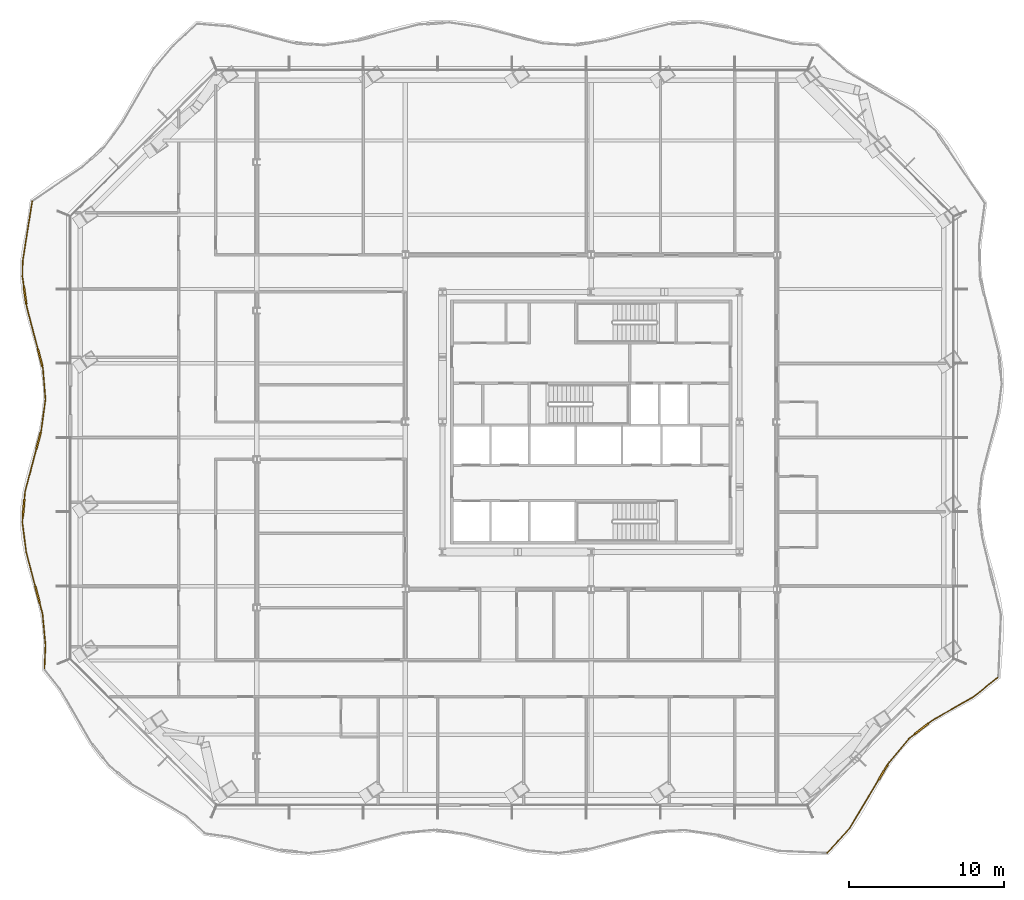
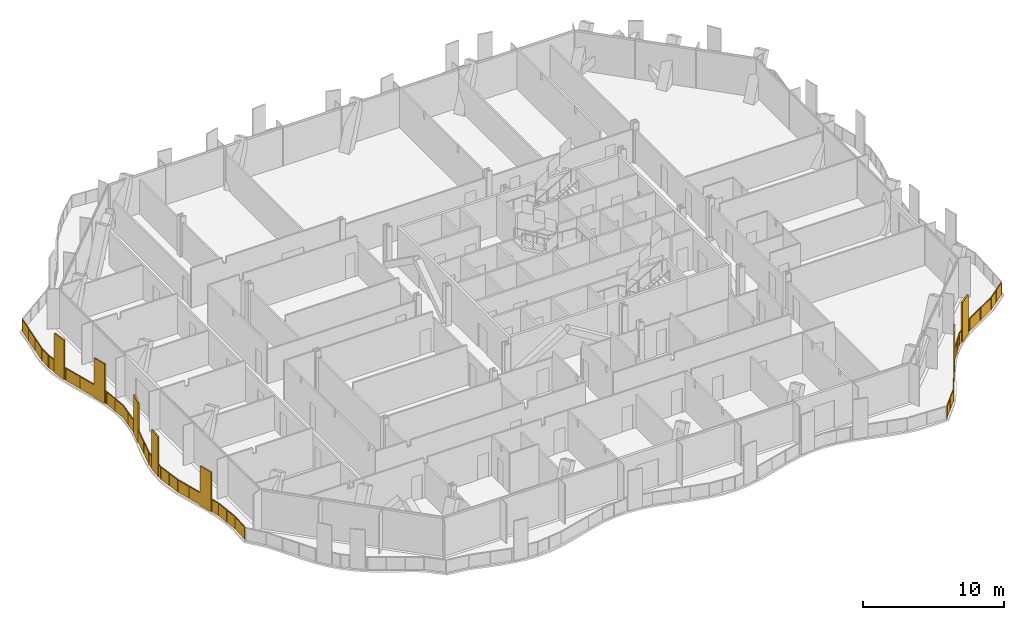
# One storey, part 15 of 19: 2 railings.
"""IFC4 building model written with IfcOpenShell, lengths in metres."""

from ifc_helpers import new_model, si_unit, direction, frame, origin, origin_2d, place, context, subcontext, project, spatial, polyline, rectangle, outline, extrude, material, type_object, element, save


model = new_model("IFC4")

# Units and contexts
model_context = context("Model", 3, precision=1e-05, world=origin(), true_north=direction((0.0, 1.0)))
body_context = subcontext(model_context, "Body", "Model", "MODEL_VIEW")
ifc_project = project(units=[si_unit("LENGTHUNIT", "METRE"), si_unit("AREAUNIT", "SQUARE_METRE"), si_unit("VOLUMEUNIT", "CUBIC_METRE"), si_unit("PLANEANGLEUNIT", "RADIAN"), si_unit("MASSUNIT", "GRAM", prefix="KILO")], contexts=[model_context])

# Site, building, storey
site_placement = place(None, origin())
site = spatial("IfcSite", under=ifc_project, at=site_placement, CompositionType="ELEMENT")
building_placement = place(site_placement, origin())
building = spatial("IfcBuilding", under=site, at=building_placement, Name="Cairn Pilgrim Tower", CompositionType="ELEMENT")
storey_placement = place(building_placement, frame((0.0, 0.0, 97.800048828125)))
storey = spatial("IfcBuildingStorey", under=building, at=storey_placement, Name="L23", CompositionType="ELEMENT", Elevation=97.800048828125)

# Railings
ifc_material = material(Name="Bronze anodised aluminium rail, posts and fin screens with laminated glass infill", Category="aluminium")
railing_type = type_object("IfcRailingType", Name="BALCONY GUARD WITH FIN SCREENS", PredefinedType="GUARDRAIL", material=ifc_material)
railing_1_placement = place(storey_placement, frame((22.46240234375, -25.446533203125, 0.0)))
element("IfcRailing", 1, at=railing_1_placement, inside=storey, type_object=railing_type, Name="Balcony guard BGF-2 with fin screens", PredefinedType="GUARDRAIL", context=body_context, shape_type="SweptSolid", body=[
    extrude(rectangle(XDim=0.050048828125, YDim=0.050048828125, at=origin_2d()), frame((0.0, 0.0, 1.0751953125), z_axis=(0.675537382413, 0.737325738709, 0.0), x_axis=(-0.737325738709, 0.675537382413, 0.0)), (0.0, 0.0, 1.0), 2.125732421875),
    extrude(rectangle(XDim=1.10009765625, YDim=0.110107421875, at=origin_2d()), frame((3.609619140625, 5.19921875, 0.0), z_axis=(0.0, 0.0, 1.0), x_axis=(0.513532392421, 0.858070208045, 0.0)), (0.0, 0.0, 1.0), 3.39990234375),
    extrude(rectangle(XDim=0.050048828125, YDim=0.050048828125, at=origin_2d()), frame((1.43603515625, 1.5673828125, 1.0751953125), z_axis=(0.513532392421, 0.858070208045, 0.0), x_axis=(-0.858070208045, 0.513532392421, 0.0)), (0.0, 0.0, 1.0), 3.6826171875),
    extrude(rectangle(XDim=0.050048828125, YDim=0.050048828125, at=origin_2d()), frame((3.89208984375, 5.671142578125, 1.0751953125), z_axis=(0.513532392421, 0.858070208045, 0.0), x_axis=(-0.858070208045, 0.513532392421, 0.0)), (0.0, 0.0, 1.0), 0.213134765625),
    extrude(rectangle(XDim=0.050048828125, YDim=0.050048828125, at=origin_2d()), frame((4.00146484375, 5.85400390625, 1.0751953125), z_axis=(0.640779953557, 0.767724593275, 0.0), x_axis=(-0.767724593275, 0.640779953557, 0.0)), (0.0, 0.0, 1.0), 1.97509765625),
    extrude(rectangle(XDim=1.10009765625, YDim=0.110107421875, at=origin_2d()), frame((6.095458984375, 8.01708984375, 0.0), z_axis=(0.0, 0.0, 1.0), x_axis=(0.788256003965, 0.615347440243, 0.0)), (0.0, 0.0, 1.0), 3.39990234375),
    extrude(rectangle(XDim=0.050048828125, YDim=0.050048828125, at=origin_2d()), frame((5.26708984375, 7.370361328125, 1.0751953125), z_axis=(0.788256003965, 0.615347440243, 0.0), x_axis=(-0.615347440243, 0.788256003965, 0.0)), (0.0, 0.0, 1.0), 0.5009765625),
    extrude(rectangle(XDim=0.050048828125, YDim=0.050048828125, at=origin_2d()), frame((6.529052734375, 8.35546875, 1.0751953125), z_axis=(0.788256003965, 0.615347440243, 0.0), x_axis=(-0.615347440243, 0.788256003965, 0.0)), (0.0, 0.0, 1.0), 0.380126953125),
    extrude(rectangle(XDim=0.050048828125, YDim=0.050048828125, at=origin_2d()), frame((6.82861328125, 8.58935546875, 1.0751953125), z_axis=(0.869039031145, 0.494743531889, 0.0), x_axis=(-0.494743531889, 0.869039031145, 0.0)), (0.0, 0.0, 1.0), 3.01611328125),
    extrude(rectangle(XDim=0.050048828125, YDim=0.050048828125, at=origin_2d()), frame((9.44970703125, 10.08154296875, 1.0751953125), z_axis=(0.781167588595, 0.624321390414, 0.0), x_axis=(-0.624321390414, 0.781167588595, 0.0)), (0.0, 0.0, 1.0), 1.992431640625),
    extrude(rectangle(XDim=0.050048828125, YDim=0.050048828125, at=origin_2d()), origin(), (0.0, 0.0, 1.0), 1.050048828125),
    extrude(rectangle(XDim=0.050048828125, YDim=0.050048828125, at=origin_2d()), frame((0.718017578125, 0.78369140625, 0.0)), (0.0, 0.0, 1.0), 1.050048828125),
    extrude(rectangle(XDim=0.050048828125, YDim=0.050048828125, at=origin_2d()), frame((1.43603515625, 1.5673828125, 0.0)), (0.0, 0.0, 1.0), 1.050048828125),
    extrude(rectangle(XDim=0.050048828125, YDim=0.050048828125, at=origin_2d()), frame((2.062255859375, 2.613525390625, 0.0)), (0.0, 0.0, 1.0), 1.050048828125),
    extrude(rectangle(XDim=0.050048828125, YDim=0.050048828125, at=origin_2d()), frame((2.688232421875, 3.65966796875, 0.0)), (0.0, 0.0, 1.0), 1.050048828125),
    extrude(rectangle(XDim=0.050048828125, YDim=0.050048828125, at=origin_2d()), frame((3.314453125, 4.705810546875, 0.0)), (0.0, 0.0, 1.0), 1.050048828125),
    extrude(rectangle(XDim=0.050048828125, YDim=0.050048828125, at=origin_2d()), frame((3.905029296875, 5.692626953125, 0.0)), (0.0, 0.0, 1.0), 1.050048828125),
    extrude(rectangle(XDim=0.050048828125, YDim=0.050048828125, at=origin_2d()), frame((4.00146484375, 5.85400390625, 0.0)), (0.0, 0.0, 1.0), 1.050048828125),
    extrude(rectangle(XDim=0.050048828125, YDim=0.050048828125, at=origin_2d()), frame((4.63427734375, 6.6123046875, 0.0)), (0.0, 0.0, 1.0), 1.050048828125),
    extrude(rectangle(XDim=0.050048828125, YDim=0.050048828125, at=origin_2d()), frame((5.26708984375, 7.370361328125, 0.0)), (0.0, 0.0, 1.0), 1.050048828125),
    extrude(rectangle(XDim=0.050048828125, YDim=0.050048828125, at=origin_2d()), frame((5.642333984375, 7.663330078125, 0.0)), (0.0, 0.0, 1.0), 1.050048828125),
    extrude(rectangle(XDim=0.050048828125, YDim=0.050048828125, at=origin_2d()), frame((6.548828125, 8.370849609375, 0.0)), (0.0, 0.0, 1.0), 1.050048828125),
    extrude(rectangle(XDim=0.050048828125, YDim=0.050048828125, at=origin_2d()), frame((6.82861328125, 8.58935546875, 0.0)), (0.0, 0.0, 1.0), 1.050048828125),
    extrude(rectangle(XDim=0.050048828125, YDim=0.050048828125, at=origin_2d()), frame((8.13916015625, 9.33544921875, 0.0)), (0.0, 0.0, 1.0), 1.050048828125),
    extrude(rectangle(XDim=0.050048828125, YDim=0.050048828125, at=origin_2d()), frame((9.44970703125, 10.08154296875, 0.0)), (0.0, 0.0, 1.0), 1.050048828125),
    extrude(rectangle(XDim=0.050048828125, YDim=0.050048828125, at=origin_2d()), frame((10.22802734375, 10.70361328125, 0.0)), (0.0, 0.0, 1.0), 1.050048828125),
    extrude(rectangle(XDim=0.050048828125, YDim=0.050048828125, at=origin_2d()), frame((11.006103515625, 11.325439453125, 0.0)), (0.0, 0.0, 1.0), 1.050048828125),
    extrude(outline(polyline([(0.02490234375, 0.0), (1.037841796875, 0.0), (1.037841796875, 1.050048828125), (0.02490234375, 1.050048828125), (0.02490234375, 0.0)])), frame((-0.00439453125, 0.004150390625, 0.0), z_axis=(0.737325738709, -0.675537382413, 0.0), x_axis=(0.675537382413, 0.737325738709, 0.0)), (0.0, 0.0, 1.0), 0.011962890625),
    extrude(outline(polyline([(0.02490234375, 0.0), (1.037841796875, 0.0), (1.037841796875, 1.050048828125), (0.02490234375, 1.050048828125), (0.02490234375, 0.0)])), frame((0.713623046875, 0.787841796875, 0.0), z_axis=(0.737325738709, -0.675537382413, 0.0), x_axis=(0.675537382413, 0.737325738709, 0.0)), (0.0, 0.0, 1.0), 0.011962890625),
    extrude(outline(polyline([(0.02490234375, 0.0), (1.194091796875, 0.0), (1.194091796875, 1.050048828125), (0.02490234375, 1.050048828125), (0.02490234375, 0.0)])), frame((1.430908203125, 1.570556640625, 0.0), z_axis=(0.858070208045, -0.513532392421, 0.0), x_axis=(0.513532392421, 0.858070208045, 0.0)), (0.0, 0.0, 1.0), 0.011962890625),
    extrude(outline(polyline([(0.02490234375, 0.0), (1.194091796875, 0.0), (1.194091796875, 1.050048828125), (0.02490234375, 1.050048828125), (0.02490234375, 0.0)])), frame((2.056884765625, 2.61669921875, 0.0), z_axis=(0.858070208045, -0.513532392421, 0.0), x_axis=(0.513532392421, 0.858070208045, 0.0)), (0.0, 0.0, 1.0), 0.011962890625),
    extrude(outline(polyline([(0.02490234375, 0.0), (1.194091796875, 0.0), (1.194091796875, 1.050048828125), (0.02490234375, 1.050048828125), (0.02490234375, 0.0)])), frame((2.68310546875, 3.662841796875, 0.0), z_axis=(0.858070208045, -0.513532392421, 0.0), x_axis=(0.513532392421, 0.858070208045, 0.0)), (0.0, 0.0, 1.0), 0.011962890625),
    extrude(outline(polyline([(0.02490234375, 0.0), (0.1630859375, 0.0), (0.1630859375, 1.050048828125), (0.02490234375, 1.050048828125), (0.02490234375, 0.0)])), frame((3.89990234375, 5.69580078125, 0.0), z_axis=(0.858070208045, -0.513532392421, 0.0), x_axis=(0.513532392421, 0.858070208045, 0.0)), (0.0, 0.0, 1.0), 0.011962890625),
    extrude(outline(polyline([(0.02490234375, 0.0), (0.962646484375, 0.0), (0.962646484375, 1.050048828125), (0.02490234375, 1.050048828125), (0.02490234375, 0.0)])), frame((3.996826171875, 5.85791015625, 0.0), z_axis=(0.767724593275, -0.640779953557, 0.0), x_axis=(0.640779953557, 0.767724593275, 0.0)), (0.0, 0.0, 1.0), 0.011962890625),
    extrude(outline(polyline([(0.02490234375, 0.0), (0.962646484375, 0.0), (0.962646484375, 1.050048828125), (0.02490234375, 1.050048828125), (0.02490234375, 0.0)])), frame((4.629638671875, 6.615966796875, 0.0), z_axis=(0.767724593275, -0.640779953557, 0.0), x_axis=(0.640779953557, 0.767724593275, 0.0)), (0.0, 0.0, 1.0), 0.011962890625),
    extrude(outline(polyline([(0.02490234375, 0.0), (0.450927734375, 0.0), (0.450927734375, 1.050048828125), (0.02490234375, 1.050048828125), (0.02490234375, 0.0)])), frame((5.263427734375, 7.375, 0.0), z_axis=(0.615347440243, -0.788256003965, 0.0), x_axis=(0.788256003965, 0.615347440243, 0.0)), (0.0, 0.0, 1.0), 0.011962890625),
    extrude(outline(polyline([(0.02490234375, 0.0), (0.330078125, 0.0), (0.330078125, 1.050048828125), (0.02490234375, 1.050048828125), (0.02490234375, 0.0)])), frame((6.545166015625, 8.375732421875, 0.0), z_axis=(0.615347440243, -0.788256003965, 0.0), x_axis=(0.788256003965, 0.615347440243, 0.0)), (0.0, 0.0, 1.0), 0.011962890625),
    extrude(outline(polyline([(0.02490234375, 0.0), (1.48291015625, 0.0), (1.48291015625, 1.050048828125), (0.02490234375, 1.050048828125), (0.02490234375, 0.0)])), frame((6.82568359375, 8.594482421875, 0.0), z_axis=(0.494743531889, -0.869039031145, 0.0), x_axis=(0.869039031145, 0.494743531889, 0.0)), (0.0, 0.0, 1.0), 0.011962890625),
    extrude(outline(polyline([(0.02490234375, 0.0), (1.48291015625, 0.0), (1.48291015625, 1.050048828125), (0.02490234375, 1.050048828125), (0.02490234375, 0.0)])), frame((8.13623046875, 9.340576171875, 0.0), z_axis=(0.494743531889, -0.869039031145, 0.0), x_axis=(0.869039031145, 0.494743531889, 0.0)), (0.0, 0.0, 1.0), 0.011962890625),
    extrude(outline(polyline([(0.02490234375, 0.0), (0.97119140625, 0.0), (0.97119140625, 1.050048828125), (0.02490234375, 1.050048828125), (0.02490234375, 0.0)])), frame((9.446044921875, 10.086181640625, 0.0), z_axis=(0.624321390414, -0.781167588595, 0.0), x_axis=(0.781167588595, 0.624321390414, 0.0)), (0.0, 0.0, 1.0), 0.011962890625),
    extrude(outline(polyline([(0.02490234375, 0.0), (0.97119140625, 0.0), (0.97119140625, 1.050048828125), (0.02490234375, 1.050048828125), (0.02490234375, 0.0)])), frame((10.22412109375, 10.708251953125, 0.0), z_axis=(0.624321390414, -0.781167588595, 0.0), x_axis=(0.781167588595, 0.624321390414, 0.0)), (0.0, 0.0, 1.0), 0.011962890625),
])
railing_2_placement = place(storey_placement, frame((-28.921630859375, 16.676025390625, 0.0)))
element("IfcRailing", 2, at=railing_2_placement, inside=storey, type_object=railing_type, Name="Balcony guard BGF-7 with fin screens", PredefinedType="GUARDRAIL", context=body_context, shape_type="SweptSolid", body=[
    extrude(rectangle(XDim=0.050048828125, YDim=0.050048828125, at=origin_2d()), frame((0.0, 0.0, 1.0751953125), z_axis=(-0.156406455903, -0.9876927764, 0.0), x_axis=(0.9876927764, -0.156406455903, 0.0)), (0.0, 0.0, 1.0), 3.92578125),
    extrude(rectangle(XDim=0.050048828125, YDim=0.050048828125, at=origin_2d()), frame((-0.614013671875, -3.87744140625, 1.0751953125), z_axis=(-0.02237307582, -0.999749691412, 0.0), x_axis=(0.999749691412, -0.02237307582, 0.0)), (0.0, 0.0, 1.0), 0.97119140625),
    extrude(rectangle(XDim=1.10009765625, YDim=0.110107421875, at=origin_2d()), frame((-0.4619140625, -6.0927734375, 0.0), z_axis=(0.0, 0.0, 1.0), x_axis=(0.138406514383, -0.990375502916, 0.0)), (0.0, 0.0, 1.0), 3.39990234375),
    extrude(rectangle(XDim=0.050048828125, YDim=0.050048828125, at=origin_2d()), frame((-0.6357421875, -4.848388671875, 1.0751953125), z_axis=(0.138406514383, -0.990375502916, 0.0), x_axis=(0.990375502916, 0.138406514383, 0.0)), (0.0, 0.0, 1.0), 0.70654296875),
    extrude(rectangle(XDim=0.050048828125, YDim=0.050048828125, at=origin_2d()), frame((-0.3857421875, -6.637451171875, 1.0751953125), z_axis=(0.138406514383, -0.990375502916, 0.0), x_axis=(0.990375502916, 0.138406514383, 0.0)), (0.0, 0.0, 1.0), 0.177978515625),
    extrude(rectangle(XDim=1.10009765625, YDim=0.110107421875, at=origin_2d()), frame((0.510009765625, -10.11328125, 0.0), z_axis=(0.0, 0.0, 1.0), x_axis=(0.255267571366, -0.966870449962, 0.0)), (0.0, 0.0, 1.0), 3.39990234375),
    extrude(rectangle(XDim=0.050048828125, YDim=0.050048828125, at=origin_2d()), frame((-0.361083984375, -6.813720703125, 1.0751953125), z_axis=(0.255267571366, -0.966870449962, 0.0), x_axis=(0.966870449962, 0.255267571366, 0.0)), (0.0, 0.0, 1.0), 2.86279296875),
    extrude(rectangle(XDim=0.050048828125, YDim=0.050048828125, at=origin_2d()), frame((0.650390625, -10.645263671875, 1.0751953125), z_axis=(0.255267571366, -0.966870449962, 0.0), x_axis=(0.966870449962, 0.255267571366, 0.0)), (0.0, 0.0, 1.0), 0.14990234375),
    extrude(rectangle(XDim=0.050048828125, YDim=0.050048828125, at=origin_2d()), frame((0.688720703125, -10.7900390625, 1.0751953125), z_axis=(0.082685844095, -0.99657566255, 0.0), x_axis=(0.99657566255, 0.082685844095, 0.0)), (0.0, 0.0, 1.0), 2.0224609375),
    extrude(rectangle(XDim=0.050048828125, YDim=0.050048828125, at=origin_2d()), frame((0.85595703125, -12.8056640625, 1.0751953125), z_axis=(-0.133148469162, -0.991096102888, 0.0), x_axis=(0.991096102888, -0.133148469162, 0.0)), (0.0, 0.0, 1.0), 2.02978515625),
    extrude(rectangle(XDim=1.10009765625, YDim=0.110107421875, at=origin_2d()), frame((0.40673828125, -15.494140625, 0.0), z_axis=(0.0, 0.0, 1.0), x_axis=(-0.25574873197, -0.966743288622, 0.0)), (0.0, 0.0, 1.0), 3.39990234375),
    extrude(rectangle(XDim=0.050048828125, YDim=0.050048828125, at=origin_2d()), frame((0.585693359375, -14.8173828125, 1.0751953125), z_axis=(-0.25574873197, -0.966743288622, 0.0), x_axis=(0.966743288622, -0.25574873197, 0.0)), (0.0, 0.0, 1.0), 0.14990234375),
    extrude(rectangle(XDim=0.050048828125, YDim=0.050048828125, at=origin_2d()), frame((0.26611328125, -16.02587890625, 1.0751953125), z_axis=(-0.25574873197, -0.966743288622, 0.0), x_axis=(0.966743288622, -0.25574873197, 0.0)), (0.0, 0.0, 1.0), 2.855712890625),
    extrude(rectangle(XDim=1.10009765625, YDim=0.110107421875, at=origin_2d()), frame((-0.555908203125, -19.816650390625, 0.0), z_axis=(0.0, 0.0, 1.0), x_axis=(-0.088597323514, -0.996067524953, 0.0)), (0.0, 0.0, 1.0), 3.39990234375),
    extrude(rectangle(XDim=0.050048828125, YDim=0.050048828125, at=origin_2d()), frame((-0.46435546875, -18.78662109375, 1.0751953125), z_axis=(-0.088597323514, -0.996067524953, 0.0), x_axis=(0.996067524953, -0.088597323514, 0.0)), (0.0, 0.0, 1.0), 0.484130859375),
    extrude(rectangle(XDim=0.050048828125, YDim=0.050048828125, at=origin_2d()), frame((-0.604736328125, -20.364501953125, 1.0751953125), z_axis=(-0.088597323514, -0.996067524953, 0.0), x_axis=(0.996067524953, -0.088597323514, 0.0)), (0.0, 0.0, 1.0), 0.380615234375),
    extrude(rectangle(XDim=0.050048828125, YDim=0.050048828125, at=origin_2d()), frame((-0.638427734375, -20.74365234375, 1.0751953125), z_axis=(0.127712676102, -0.991811208024, 0.0), x_axis=(0.991811208024, 0.127712676102, 0.0)), (0.0, 0.0, 1.0), 1.9765625),
    extrude(rectangle(XDim=1.10009765625, YDim=0.110107421875, at=origin_2d()), frame((0.3408203125, -25.446044921875, 0.0), z_axis=(0.0, 0.0, 1.0), x_axis=(0.256187917864, -0.966626996696, 0.0)), (0.0, 0.0, 1.0), 3.39990234375),
    extrude(rectangle(XDim=0.050048828125, YDim=0.050048828125, at=origin_2d()), frame((-0.385986328125, -22.7041015625, 1.0751953125), z_axis=(0.256187917864, -0.966626996696, 0.0), x_axis=(0.966626996696, 0.256187917864, 0.0)), (0.0, 0.0, 1.0), 2.28662109375),
    extrude(rectangle(XDim=0.050048828125, YDim=0.050048828125, at=origin_2d()), frame((0.481689453125, -25.9775390625, 1.0751953125), z_axis=(0.256187917864, -0.966626996696, 0.0), x_axis=(0.966626996696, 0.256187917864, 0.0)), (0.0, 0.0, 1.0), 0.7255859375),
    extrude(rectangle(XDim=0.050048828125, YDim=0.050048828125, at=origin_2d()), frame((0.66748046875, -26.678955078125, 1.0751953125), z_axis=(0.09437513744, -0.995536706221, 0.0), x_axis=(0.995536706221, 0.09437513744, 0.0)), (0.0, 0.0, 1.0), 2.017822265625),
    extrude(rectangle(XDim=0.050048828125, YDim=0.050048828125, at=origin_2d()), frame((0.85791015625, -28.687744140625, 1.0751953125), z_axis=(-0.043450987841, -0.999055559844, 0.0), x_axis=(0.999055559844, -0.043450987841, 0.0)), (0.0, 0.0, 1.0), 1.53955078125),
    extrude(rectangle(XDim=0.050048828125, YDim=0.050048828125, at=origin_2d()), origin(), (0.0, 0.0, 1.0), 1.050048828125),
    extrude(rectangle(XDim=0.050048828125, YDim=0.050048828125, at=origin_2d()), frame((-0.20458984375, -1.29248046875, 0.0)), (0.0, 0.0, 1.0), 1.050048828125),
    extrude(rectangle(XDim=0.050048828125, YDim=0.050048828125, at=origin_2d()), frame((-0.409423828125, -2.5849609375, 0.0)), (0.0, 0.0, 1.0), 1.050048828125),
    extrude(rectangle(XDim=0.050048828125, YDim=0.050048828125, at=origin_2d()), frame((-0.614013671875, -3.87744140625, 0.0)), (0.0, 0.0, 1.0), 1.050048828125),
    extrude(rectangle(XDim=0.050048828125, YDim=0.050048828125, at=origin_2d()), frame((-0.6357421875, -4.848388671875, 0.0)), (0.0, 0.0, 1.0), 1.050048828125),
    extrude(rectangle(XDim=0.050048828125, YDim=0.050048828125, at=origin_2d()), frame((-0.54150390625, -5.5234375, 0.0)), (0.0, 0.0, 1.0), 1.050048828125),
    extrude(rectangle(XDim=0.050048828125, YDim=0.050048828125, at=origin_2d()), frame((-0.38232421875, -6.662353515625, 0.0)), (0.0, 0.0, 1.0), 1.050048828125),
    extrude(rectangle(XDim=0.050048828125, YDim=0.050048828125, at=origin_2d()), frame((-0.361083984375, -6.813720703125, 0.0)), (0.0, 0.0, 1.0), 1.050048828125),
    extrude(rectangle(XDim=0.050048828125, YDim=0.050048828125, at=origin_2d()), frame((0.001220703125, -8.185546875, 0.0)), (0.0, 0.0, 1.0), 1.050048828125),
    extrude(rectangle(XDim=0.050048828125, YDim=0.050048828125, at=origin_2d()), frame((0.36328125, -9.557373046875, 0.0)), (0.0, 0.0, 1.0), 1.050048828125),
    extrude(rectangle(XDim=0.050048828125, YDim=0.050048828125, at=origin_2d()), frame((0.65673828125, -10.66943359375, 0.0)), (0.0, 0.0, 1.0), 1.050048828125),
    extrude(rectangle(XDim=0.050048828125, YDim=0.050048828125, at=origin_2d()), frame((0.688720703125, -10.7900390625, 0.0)), (0.0, 0.0, 1.0), 1.050048828125),
    extrude(rectangle(XDim=0.050048828125, YDim=0.050048828125, at=origin_2d()), frame((0.7724609375, -11.7978515625, 0.0)), (0.0, 0.0, 1.0), 1.050048828125),
    extrude(rectangle(XDim=0.050048828125, YDim=0.050048828125, at=origin_2d()), frame((0.85595703125, -12.8056640625, 0.0)), (0.0, 0.0, 1.0), 1.050048828125),
    extrude(rectangle(XDim=0.050048828125, YDim=0.050048828125, at=origin_2d()), frame((0.720703125, -13.8115234375, 0.0)), (0.0, 0.0, 1.0), 1.050048828125),
    extrude(rectangle(XDim=0.050048828125, YDim=0.050048828125, at=origin_2d()), frame((0.585693359375, -14.8173828125, 0.0)), (0.0, 0.0, 1.0), 1.050048828125),
    extrude(rectangle(XDim=0.050048828125, YDim=0.050048828125, at=origin_2d()), frame((0.5537109375, -14.938232421875, 0.0)), (0.0, 0.0, 1.0), 1.050048828125),
    extrude(rectangle(XDim=0.050048828125, YDim=0.050048828125, at=origin_2d()), frame((0.259521484375, -16.050048828125, 0.0)), (0.0, 0.0, 1.0), 1.050048828125),
    extrude(rectangle(XDim=0.050048828125, YDim=0.050048828125, at=origin_2d()), frame((-0.102294921875, -17.418212890625, 0.0)), (0.0, 0.0, 1.0), 1.050048828125),
    extrude(rectangle(XDim=0.050048828125, YDim=0.050048828125, at=origin_2d()), frame((-0.46435546875, -18.78662109375, 0.0)), (0.0, 0.0, 1.0), 1.050048828125),
    extrude(rectangle(XDim=0.050048828125, YDim=0.050048828125, at=origin_2d()), frame((-0.505126953125, -19.243896484375, 0.0)), (0.0, 0.0, 1.0), 1.050048828125),
    extrude(rectangle(XDim=0.050048828125, YDim=0.050048828125, at=origin_2d()), frame((-0.60693359375, -20.389404296875, 0.0)), (0.0, 0.0, 1.0), 1.050048828125),
    extrude(rectangle(XDim=0.050048828125, YDim=0.050048828125, at=origin_2d()), frame((-0.638427734375, -20.74365234375, 0.0)), (0.0, 0.0, 1.0), 1.050048828125),
    extrude(rectangle(XDim=0.050048828125, YDim=0.050048828125, at=origin_2d()), frame((-0.51220703125, -21.723876953125, 0.0)), (0.0, 0.0, 1.0), 1.050048828125),
    extrude(rectangle(XDim=0.050048828125, YDim=0.050048828125, at=origin_2d()), frame((-0.385986328125, -22.7041015625, 0.0)), (0.0, 0.0, 1.0), 1.050048828125),
    extrude(rectangle(XDim=0.050048828125, YDim=0.050048828125, at=origin_2d()), frame((-0.09619140625, -23.797119140625, 0.0)), (0.0, 0.0, 1.0), 1.050048828125),
    extrude(rectangle(XDim=0.050048828125, YDim=0.050048828125, at=origin_2d()), frame((0.193359375, -24.89013671875, 0.0)), (0.0, 0.0, 1.0), 1.050048828125),
    extrude(rectangle(XDim=0.050048828125, YDim=0.050048828125, at=origin_2d()), frame((0.488037109375, -26.001708984375, 0.0)), (0.0, 0.0, 1.0), 1.050048828125),
    extrude(rectangle(XDim=0.050048828125, YDim=0.050048828125, at=origin_2d()), frame((0.66748046875, -26.678955078125, 0.0)), (0.0, 0.0, 1.0), 1.050048828125),
    extrude(rectangle(XDim=0.050048828125, YDim=0.050048828125, at=origin_2d()), frame((0.7626953125, -27.683349609375, 0.0)), (0.0, 0.0, 1.0), 1.050048828125),
    extrude(rectangle(XDim=0.050048828125, YDim=0.050048828125, at=origin_2d()), frame((0.85791015625, -28.687744140625, 0.0)), (0.0, 0.0, 1.0), 1.050048828125),
    extrude(rectangle(XDim=0.050048828125, YDim=0.050048828125, at=origin_2d()), frame((0.791015625, -30.225830078125, 0.0)), (0.0, 0.0, 1.0), 1.050048828125),
    extrude(outline(polyline([(0.02490234375, 0.0), (1.283447265625, 0.0), (1.283447265625, 1.050048828125), (0.02490234375, 1.050048828125), (0.02490234375, 0.0)])), frame((0.005859375, -0.0009765625, 0.0), z_axis=(-0.9876927764, 0.156406455903, 0.0), x_axis=(-0.156406455903, -0.9876927764, 0.0)), (0.0, 0.0, 1.0), 0.011962890625),
    extrude(outline(polyline([(0.02490234375, 0.0), (1.283447265625, 0.0), (1.283447265625, 1.050048828125), (0.02490234375, 1.050048828125), (0.02490234375, 0.0)])), frame((-0.19873046875, -1.29345703125, 0.0), z_axis=(-0.9876927764, 0.156406455903, 0.0), x_axis=(-0.156406455903, -0.9876927764, 0.0)), (0.0, 0.0, 1.0), 0.011962890625),
    extrude(outline(polyline([(0.02490234375, 0.0), (1.283447265625, 0.0), (1.283447265625, 1.050048828125), (0.02490234375, 1.050048828125), (0.02490234375, 0.0)])), frame((-0.4033203125, -2.5859375, 0.0), z_axis=(-0.9876927764, 0.156406455903, 0.0), x_axis=(-0.156406455903, -0.9876927764, 0.0)), (0.0, 0.0, 1.0), 0.011962890625),
    extrude(outline(polyline([(0.02490234375, 0.0), (0.946044921875, 0.0), (0.946044921875, 1.050048828125), (0.02490234375, 1.050048828125), (0.02490234375, 0.0)])), frame((-0.608154296875, -3.877685546875, 0.0), z_axis=(-0.999749691412, 0.02237307582, 0.0), x_axis=(-0.02237307582, -0.999749691412, 0.0)), (0.0, 0.0, 1.0), 0.011962890625),
    extrude(outline(polyline([(0.02490234375, 0.0), (0.656494140625, 0.0), (0.656494140625, 1.050048828125), (0.02490234375, 1.050048828125), (0.02490234375, 0.0)])), frame((-0.6298828125, -4.84765625, 0.0), z_axis=(-0.990375502916, -0.138406514383, 0.0), x_axis=(0.138406514383, -0.990375502916, 0.0)), (0.0, 0.0, 1.0), 0.011962890625),
    extrude(outline(polyline([(0.02490234375, 0.0), (0.1279296875, 0.0), (0.1279296875, 1.050048828125), (0.02490234375, 1.050048828125), (0.02490234375, 0.0)])), frame((-0.376220703125, -6.66162109375, 0.0), z_axis=(-0.990375502916, -0.138406514383, 0.0), x_axis=(0.138406514383, -0.990375502916, 0.0)), (0.0, 0.0, 1.0), 0.011962890625),
    extrude(outline(polyline([(0.02490234375, 0.0), (1.393798828125, 0.0), (1.393798828125, 1.050048828125), (0.02490234375, 1.050048828125), (0.02490234375, 0.0)])), frame((-0.355224609375, -6.812255859375, 0.0), z_axis=(-0.966870449962, -0.255267571366, 0.0), x_axis=(0.255267571366, -0.966870449962, 0.0)), (0.0, 0.0, 1.0), 0.011962890625),
    extrude(outline(polyline([(0.02490234375, 0.0), (1.393798828125, 0.0), (1.393798828125, 1.050048828125), (0.02490234375, 1.050048828125), (0.02490234375, 0.0)])), frame((0.0068359375, -8.18408203125, 0.0), z_axis=(-0.966870449962, -0.255267571366, 0.0), x_axis=(0.255267571366, -0.966870449962, 0.0)), (0.0, 0.0, 1.0), 0.011962890625),
    extrude(outline(polyline([(0.02490234375, 0.0), (0.099853515625, 0.0), (0.099853515625, 1.050048828125), (0.02490234375, 1.050048828125), (0.02490234375, 0.0)])), frame((0.66259765625, -10.667724609375, 0.0), z_axis=(-0.966870449962, -0.255267571366, 0.0), x_axis=(0.255267571366, -0.966870449962, 0.0)), (0.0, 0.0, 1.0), 0.011962890625),
    extrude(outline(polyline([(0.02490234375, 0.0), (0.986328125, 0.0), (0.986328125, 1.050048828125), (0.02490234375, 1.050048828125), (0.02490234375, 0.0)])), frame((0.694580078125, -10.78955078125, 0.0), z_axis=(-0.99657566255, -0.082685844095, 0.0), x_axis=(0.082685844095, -0.99657566255, 0.0)), (0.0, 0.0, 1.0), 0.011962890625),
    extrude(outline(polyline([(0.02490234375, 0.0), (0.986328125, 0.0), (0.986328125, 1.050048828125), (0.02490234375, 1.050048828125), (0.02490234375, 0.0)])), frame((0.7783203125, -11.79736328125, 0.0), z_axis=(-0.99657566255, -0.082685844095, 0.0), x_axis=(0.082685844095, -0.99657566255, 0.0)), (0.0, 0.0, 1.0), 0.011962890625),
    extrude(outline(polyline([(0.02490234375, 0.0), (0.989990234375, 0.0), (0.989990234375, 1.050048828125), (0.02490234375, 1.050048828125), (0.02490234375, 0.0)])), frame((0.86181640625, -12.806396484375, 0.0), z_axis=(-0.991096102888, 0.133148469162, 0.0), x_axis=(-0.133148469162, -0.991096102888, 0.0)), (0.0, 0.0, 1.0), 0.011962890625),
    extrude(outline(polyline([(0.02490234375, 0.0), (0.989990234375, 0.0), (0.989990234375, 1.050048828125), (0.02490234375, 1.050048828125), (0.02490234375, 0.0)])), frame((0.726806640625, -13.812255859375, 0.0), z_axis=(-0.991096102888, 0.133148469162, 0.0), x_axis=(-0.133148469162, -0.991096102888, 0.0)), (0.0, 0.0, 1.0), 0.011962890625),
    extrude(outline(polyline([(0.02490234375, 0.0), (0.099853515625, 0.0), (0.099853515625, 1.050048828125), (0.02490234375, 1.050048828125), (0.02490234375, 0.0)])), frame((0.591552734375, -14.81884765625, 0.0), z_axis=(-0.966743288622, 0.25574873197, 0.0), x_axis=(-0.25574873197, -0.966743288622, 0.0)), (0.0, 0.0, 1.0), 0.011962890625),
    extrude(outline(polyline([(0.02490234375, 0.0), (1.390380859375, 0.0), (1.390380859375, 1.050048828125), (0.02490234375, 1.050048828125), (0.02490234375, 0.0)])), frame((0.265380859375, -16.051513671875, 0.0), z_axis=(-0.966743288622, 0.25574873197, 0.0), x_axis=(-0.25574873197, -0.966743288622, 0.0)), (0.0, 0.0, 1.0), 0.011962890625),
    extrude(outline(polyline([(0.02490234375, 0.0), (1.390380859375, 0.0), (1.390380859375, 1.050048828125), (0.02490234375, 1.050048828125), (0.02490234375, 0.0)])), frame((-0.0966796875, -17.419921875, 0.0), z_axis=(-0.966743288622, 0.25574873197, 0.0), x_axis=(-0.25574873197, -0.966743288622, 0.0)), (0.0, 0.0, 1.0), 0.011962890625),
    extrude(outline(polyline([(0.02490234375, 0.0), (0.43408203125, 0.0), (0.43408203125, 1.050048828125), (0.02490234375, 1.050048828125), (0.02490234375, 0.0)])), frame((-0.45849609375, -18.787109375, 0.0), z_axis=(-0.996067524953, 0.088597323514, 0.0), x_axis=(-0.088597323514, -0.996067524953, 0.0)), (0.0, 0.0, 1.0), 0.011962890625),
    extrude(outline(polyline([(0.02490234375, 0.0), (0.33056640625, 0.0), (0.33056640625, 1.050048828125), (0.02490234375, 1.050048828125), (0.02490234375, 0.0)])), frame((-0.60107421875, -20.389892578125, 0.0), z_axis=(-0.996067524953, 0.088597323514, 0.0), x_axis=(-0.088597323514, -0.996067524953, 0.0)), (0.0, 0.0, 1.0), 0.011962890625),
    extrude(outline(polyline([(0.02490234375, 0.0), (0.96337890625, 0.0), (0.96337890625, 1.050048828125), (0.02490234375, 1.050048828125), (0.02490234375, 0.0)])), frame((-0.632568359375, -20.742919921875, 0.0), z_axis=(-0.991811208024, -0.127712676102, 0.0), x_axis=(0.127712676102, -0.991811208024, 0.0)), (0.0, 0.0, 1.0), 0.011962890625),
    extrude(outline(polyline([(0.02490234375, 0.0), (0.96337890625, 0.0), (0.96337890625, 1.050048828125), (0.02490234375, 1.050048828125), (0.02490234375, 0.0)])), frame((-0.50634765625, -21.72314453125, 0.0), z_axis=(-0.991811208024, -0.127712676102, 0.0), x_axis=(0.127712676102, -0.991811208024, 0.0)), (0.0, 0.0, 1.0), 0.011962890625),
    extrude(outline(polyline([(0.02490234375, 0.0), (1.105712890625, 0.0), (1.105712890625, 1.050048828125), (0.02490234375, 1.050048828125), (0.02490234375, 0.0)])), frame((-0.380126953125, -22.70263671875, 0.0), z_axis=(-0.966626996696, -0.256187917864, 0.0), x_axis=(0.256187917864, -0.966626996696, 0.0)), (0.0, 0.0, 1.0), 0.011962890625),
    extrude(outline(polyline([(0.02490234375, 0.0), (1.105712890625, 0.0), (1.105712890625, 1.050048828125), (0.02490234375, 1.050048828125), (0.02490234375, 0.0)])), frame((-0.090576171875, -23.795654296875, 0.0), z_axis=(-0.966626996696, -0.256187917864, 0.0), x_axis=(0.256187917864, -0.966626996696, 0.0)), (0.0, 0.0, 1.0), 0.011962890625),
    extrude(outline(polyline([(0.02490234375, 0.0), (0.675537109375, 0.0), (0.675537109375, 1.050048828125), (0.02490234375, 1.050048828125), (0.02490234375, 0.0)])), frame((0.493896484375, -26.000244140625, 0.0), z_axis=(-0.966626996696, -0.256187917864, 0.0), x_axis=(0.256187917864, -0.966626996696, 0.0)), (0.0, 0.0, 1.0), 0.011962890625),
    extrude(outline(polyline([(0.02490234375, 0.0), (0.98388671875, 0.0), (0.98388671875, 1.050048828125), (0.02490234375, 1.050048828125), (0.02490234375, 0.0)])), frame((0.67333984375, -26.678466796875, 0.0), z_axis=(-0.995536706221, -0.09437513744, 0.0), x_axis=(0.09437513744, -0.995536706221, 0.0)), (0.0, 0.0, 1.0), 0.011962890625),
    extrude(outline(polyline([(0.02490234375, 0.0), (0.98388671875, 0.0), (0.98388671875, 1.050048828125), (0.02490234375, 1.050048828125), (0.02490234375, 0.0)])), frame((0.7685546875, -27.682861328125, 0.0), z_axis=(-0.995536706221, -0.09437513744, 0.0), x_axis=(0.09437513744, -0.995536706221, 0.0)), (0.0, 0.0, 1.0), 0.011962890625),
    extrude(outline(polyline([(0.02490234375, 0.0), (1.514404296875, 0.0), (1.514404296875, 1.050048828125), (0.02490234375, 1.050048828125), (0.02490234375, 0.0)])), frame((0.86376953125, -28.68798828125, 0.0), z_axis=(-0.999055559844, 0.043450987841, 0.0), x_axis=(-0.043450987841, -0.999055559844, 0.0)), (0.0, 0.0, 1.0), 0.011962890625),
])

save(model, "model.ifc")
